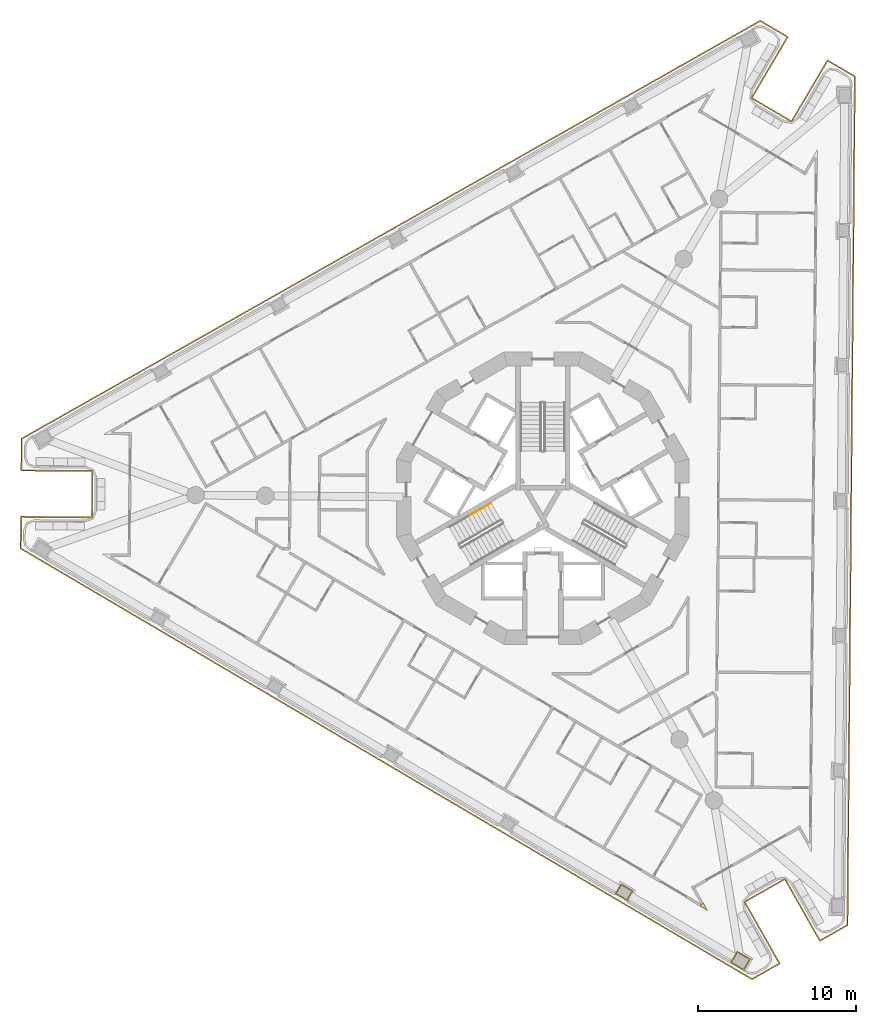
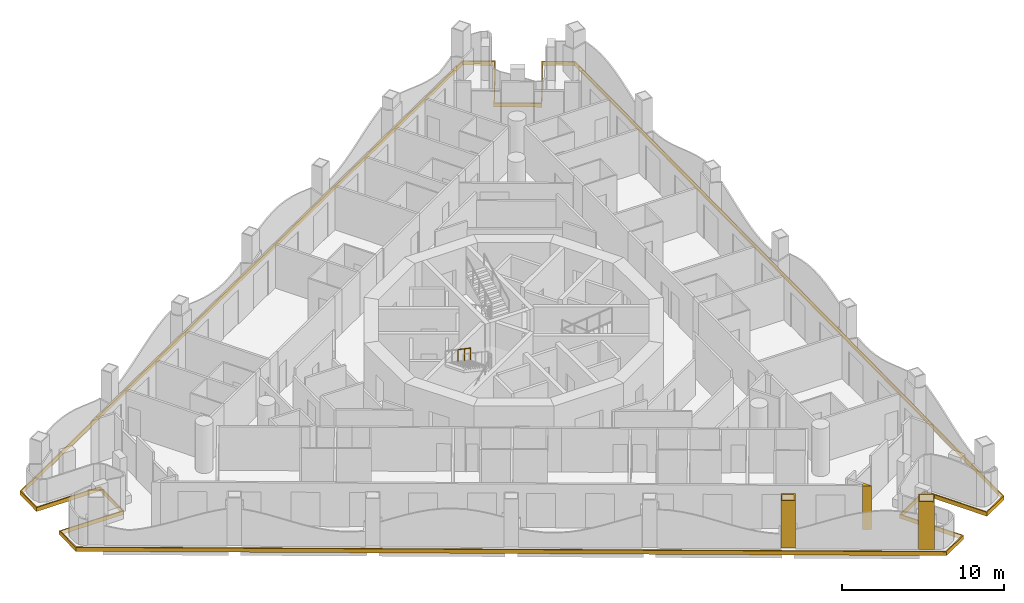
# One storey, part 13 of 17: 4 coverings, 1 railing.
"""IFC4 building model written with IfcOpenShell, lengths in metres."""

import ifcopenshell
import ifcopenshell.guid

model = None  # the IFC model being written
_history = None  # IfcOwnerHistory: only IFC2X3 demands one
_inside = {}  # id of a spatial element -> (the spatial element, [elements in it])
_under = {}  # id of a project, library or spatial element -> (it, [spatial elements below it])
_declared = {}  # id of a project -> (the project, [libraries it declares])
_typed = {}  # id of a type object -> (the type object, [elements of that type])
_made_of = {}  # id of a material, layer set ... -> (it, [elements and type objects made of it])


def new_model(schema):
    """Start an empty IFC model of exactly this schema.

    Asked for "IFC4X3", IfcOpenShell would pick the latest addendum, in which some entities
    have other attributes; the version numbers below select the first issue.
    IFC2X3 requires an IfcOwnerHistory on every rooted entity: one is made here for all.
    """
    global model, _history
    if schema == "IFC4X3":
        model = ifcopenshell.file(schema_version=(4, 3, 0, 0))
    else:
        model = ifcopenshell.file(schema=schema)
    _inside.clear()
    _under.clear()
    _declared.clear()
    _typed.clear()
    _made_of.clear()
    _history = None
    if model.schema == "IFC2X3":
        org = make("IfcOrganization", Name="unknown")
        user = make(
            "IfcPersonAndOrganization",
            ThePerson=make("IfcPerson", FamilyName="unknown"),
            TheOrganization=org,
        )
        app = make(
            "IfcApplication",
            ApplicationDeveloper=org,
            Version="unknown",
            ApplicationFullName="unknown",
            ApplicationIdentifier="unknown",
        )
        _history = make(
            "IfcOwnerHistory",
            OwningUser=user,
            OwningApplication=app,
            ChangeAction="ADDED",
            CreationDate=0,
        )
    return model


def make(cls, **values):
    """One entity of the class cls with the attributes given. An attribute that is None is left unset."""
    return model.create_entity(
        cls, **{name: value for name, value in values.items() if value is not None}
    )


def rooted(cls, **values):
    """An entity with a GlobalId (a new one), such as an element, a storey or a relation."""
    return make(cls, GlobalId=ifcopenshell.guid.new(), OwnerHistory=_history, **values)


def si_unit(unit_type, name, prefix=None):
    """IfcSIUnit, for example si_unit("LENGTHUNIT", "METRE", prefix="MILLI")."""
    return make("IfcSIUnit", UnitType=unit_type, Prefix=prefix, Name=name)


def assignment(units):
    """IfcUnitAssignment: the units of a project."""
    return None if units is None else make("IfcUnitAssignment", Units=units)


def point(xyz):
    """IfcCartesianPoint."""
    return None if xyz is None else make("IfcCartesianPoint", Coordinates=xyz)


def direction(xyz):
    """IfcDirection."""
    return None if xyz is None else make("IfcDirection", DirectionRatios=xyz)


def frame(location, z_axis=None, x_axis=None):
    """IfcAxis2Placement3D, a coordinate frame: its origin and axes. An axis left out is left unset."""
    return make(
        "IfcAxis2Placement3D",
        Location=point(location),
        Axis=direction(z_axis),
        RefDirection=direction(x_axis),
    )


def frame_2d(location, x_axis=None):
    """IfcAxis2Placement2D, a coordinate frame in the plane: its origin and x axis."""
    return make(
        "IfcAxis2Placement2D", Location=point(location), RefDirection=direction(x_axis)
    )


def origin():
    """The frame at (0, 0, 0) with its axes left unset."""
    return frame((0.0, 0.0, 0.0))


def origin_2d():
    """The frame at (0, 0) in the plane with its x axis left unset."""
    return frame_2d((0.0, 0.0))


def place(relative_to, where):
    """IfcLocalPlacement: puts the frame where relative to a parent placement (None: the world)."""
    return make(
        "IfcLocalPlacement", PlacementRelTo=relative_to, RelativePlacement=where
    )


def context(
    kind, dimensions, precision=None, world=None, true_north=None, identifier=None
):
    """IfcGeometricRepresentationContext, for example the 3D "Model" context."""
    return make(
        "IfcGeometricRepresentationContext",
        ContextIdentifier=identifier,
        ContextType=kind,
        CoordinateSpaceDimension=dimensions,
        Precision=precision,
        WorldCoordinateSystem=world,
        TrueNorth=true_north,
    )


def subcontext(parent, identifier, kind, view, scale=None):
    """IfcGeometricRepresentationSubContext, for example "Body" below "Model"."""
    return make(
        "IfcGeometricRepresentationSubContext",
        ContextIdentifier=identifier,
        ContextType=kind,
        ParentContext=parent,
        TargetScale=scale,
        TargetView=view,
    )


def project(units=None, contexts=None):
    """IfcProject with its units and contexts."""
    return rooted(
        "IfcProject",
        Name="project",
        RepresentationContexts=contexts,
        UnitsInContext=assignment(units),
    )


def spatial(cls, under=None, at=None, **own):
    """A site, building, storey or space (cls), placed at a placement, below another one or the project."""
    s = rooted(cls, ObjectPlacement=at, **own)
    if under is not None:
        _under.setdefault(under.id(), (under, []))[1].append(s)
    return s


def polyline(points):
    """IfcPolyline through the points."""
    return make("IfcPolyline", Points=[point(p) for p in points])


def profile(cls, at=None, kind="AREA", **sizes):
    """A parametric profile (cls). Its sizes go by their IFC names, for example OverallWidth=200.0."""
    return make(cls, ProfileType=kind, Position=at, **sizes)


def circle(**sizes):
    """IfcCircleProfileDef."""
    return profile("IfcCircleProfileDef", **sizes)


def outline(outer, holes=None, kind="AREA"):
    """IfcArbitraryClosedProfileDef: a profile drawn as a closed curve; with holes, ...WithVoids."""
    if holes is None:
        return make("IfcArbitraryClosedProfileDef", ProfileType=kind, OuterCurve=outer)
    return make(
        "IfcArbitraryProfileDefWithVoids",
        ProfileType=kind,
        OuterCurve=outer,
        InnerCurves=holes,
    )


def extrude(swept, where, along, depth):
    """IfcExtrudedAreaSolid: the profile swept, set in the frame where, extruded along a direction by depth."""
    return make(
        "IfcExtrudedAreaSolid",
        SweptArea=swept,
        Position=where,
        ExtrudedDirection=direction(along),
        Depth=depth,
    )


def shape(context_of_items, identifier, shape_type, items):
    """IfcShapeRepresentation: the items that make up one representation, for example the "Body"."""
    return make(
        "IfcShapeRepresentation",
        ContextOfItems=context_of_items,
        RepresentationIdentifier=identifier,
        RepresentationType=shape_type,
        Items=items,
    )


def material(Name=None, Category=None):
    """IfcMaterial."""
    return make("IfcMaterial", Name=Name, Category=Category)


def layer(
    of_material, thickness, ventilated=None, Name=None, Category=None, Priority=None
):
    """IfcMaterialLayer: one layer of a wall or slab, of a material (None: an air gap)."""
    return make(
        "IfcMaterialLayer",
        Material=of_material,
        LayerThickness=thickness,
        IsVentilated=ventilated,
        Name=Name,
        Category=Category,
        Priority=Priority,
    )


def layer_set(layers, Name=None):
    """IfcMaterialLayerSet."""
    return make("IfcMaterialLayerSet", MaterialLayers=layers, LayerSetName=Name)


def made_of(thing, what):
    """Note that an element or type object is made of a material, layer set ...; save() writes the relation."""
    if what is not None:
        _made_of.setdefault(what.id(), (what, []))[1].append(thing)
    return thing


def type_object(cls, material=None, **own):
    """A type object (cls), such as IfcWallType, which elements share."""
    return made_of(rooted(cls, **own), material)


def element(
    cls,
    number,
    at=None,
    inside=None,
    cuts=None,
    type_object=None,
    material=None,
    context=None,
    identifier="Body",
    shape_type=None,
    held_by="IfcProductDefinitionShape",
    body=None,
    shapes=None,
    **own,
):
    """One element of the class cls, such as IfcWall. Its Tag is "e" and its number.

    at: its placement. inside: the storey or other place that contains it. cuts: it is an
    opening in that element (IfcRelVoidsElement). A single representation is given by context,
    identifier, shape_type and body (its items); several are given by shapes. held_by: the class
    of the entity that holds the representations. save() writes the other relations.
    """
    e = rooted(cls, Tag="e%d" % number, ObjectPlacement=at, **own)
    if body is not None:
        shapes = [shape(context, identifier, shape_type, body)]
    if shapes is not None:
        e.Representation = make(held_by, Representations=shapes)
    if inside is not None:
        _inside.setdefault(inside.id(), (inside, []))[1].append(e)
    if cuts is not None:
        rooted(
            "IfcRelVoidsElement", RelatingBuildingElement=cuts, RelatedOpeningElement=e
        )
    if type_object is not None:
        _typed.setdefault(type_object.id(), (type_object, []))[1].append(e)
    return made_of(e, material)


def aggregate(whole, parts):
    """IfcRelAggregates: a whole, such as a stair, and the parts it consists of."""
    return rooted("IfcRelAggregates", RelatingObject=whole, RelatedObjects=parts)


def save(model, path):
    """Write the relations noted so far, then the file.

    IfcRelAggregates (storeys below a building ...), IfcRelContainedInSpatialStructure (elements
    in a storey), IfcRelDefinesByType, IfcRelAssociatesMaterial and IfcRelDeclares: one each for
    every whole, place, type object, material and project.
    """
    for whole, parts in _under.values():
        aggregate(whole, parts)
    for where, things in _inside.values():
        rooted(
            "IfcRelContainedInSpatialStructure",
            RelatedElements=things,
            RelatingStructure=where,
        )
    for kind, things in _typed.values():
        rooted("IfcRelDefinesByType", RelatedObjects=things, RelatingType=kind)
    for what, things in _made_of.values():
        rooted("IfcRelAssociatesMaterial", RelatedObjects=things, RelatingMaterial=what)
    for by, libraries in _declared.values():
        rooted("IfcRelDeclares", RelatingContext=by, RelatedDefinitions=libraries)
    model.write(path)


model = new_model("IFC4")

# Units and contexts
model_context = context("Model", 3, precision=1e-05, world=origin(), true_north=direction((0.0, 1.0)))
body_context = subcontext(model_context, "Body", "Model", "MODEL_VIEW")
ifc_project = project(units=[si_unit("LENGTHUNIT", "METRE"), si_unit("AREAUNIT", "SQUARE_METRE"), si_unit("VOLUMEUNIT", "CUBIC_METRE"), si_unit("PLANEANGLEUNIT", "RADIAN"), si_unit("MASSUNIT", "GRAM", prefix="KILO")], contexts=[model_context])

# Site, building, storey
site_placement = place(None, origin())
site = spatial("IfcSite", under=ifc_project, at=site_placement, CompositionType="ELEMENT")
building_placement = place(site_placement, origin())
building = spatial("IfcBuilding", under=site, at=building_placement, Name="Trine Commons Tower", CompositionType="ELEMENT")
storey_placement = place(building_placement, frame((0.0, 0.0, 164.699951171875)))
storey = spatial("IfcBuildingStorey", under=building, at=storey_placement, Name="L42", CompositionType="ELEMENT", Elevation=164.699951171875)

# Coverings
ifc_material_1 = material(Name="Aluminium-framed insulated wall panel", Category="aluminium")
ifc_layer_1 = layer(ifc_material_1, 0.14990234375)
ifc_layer_set_1 = layer_set([ifc_layer_1], Name="Aluminium-framed insulated wall panel")
covering_type_1 = type_object("IfcCoveringType", Name="Glazing corner post, aluminium", PredefinedType="CLADDING", material=ifc_layer_set_1)
covering_1_placement = place(storey_placement, origin())
element("IfcCovering", 1, at=covering_1_placement, inside=storey, type_object=covering_type_1, Name="Glazing corner post 5-12", PredefinedType="CLADDING", context=body_context, shape_type="SweptSolid", body=[
    extrude(outline(polyline([(89.97265625, 36.6083984375), (90.455078125, 36.32421875), (90.179443359375, 36.811279296875), (90.048828125, 36.737548828125), (89.97265625, 36.6083984375)])), origin(), (0.0, 0.0, 1.0), 3.300048828125),
])
ifc_material_2 = material(Name="Limestone, honed", Category="masonry")
ifc_layer_2 = layer(ifc_material_2, 0.074951171875)
ifc_layer_set_2 = layer_set([ifc_layer_2], Name="Limestone, honed")
covering_type_2 = type_object("IfcCoveringType", Name="Limestone column cladding 75", PredefinedType="CLADDING", material=ifc_layer_set_2)
covering_2_placement = place(storey_placement, origin())
element("IfcCovering", 2, at=covering_2_placement, inside=storey, type_object=covering_type_2, Name="Limestone pier cladding 5-01", PredefinedType="CLADDING", context=body_context, shape_type="SweptSolid", body=[
    extrude(outline(polyline([(92.327392578125, 33.753173828125), (91.89599609375, 33.020751953125), (92.757568359375, 32.51318359375), (93.18896484375, 33.24560546875), (92.327392578125, 33.753173828125)]), holes=[polyline([(92.35400390625, 33.650390625), (91.998779296875, 33.047119140625), (92.731201171875, 32.61572265625), (93.086181640625, 33.218994140625), (92.35400390625, 33.650390625)])]), origin(), (0.0, 0.0, 1.0), 3.60009765625),
])
covering_3_placement = place(storey_placement, origin())
element("IfcCovering", 3, at=covering_3_placement, inside=storey, type_object=covering_type_2, Name="Limestone pier cladding 5-02", PredefinedType="CLADDING", context=body_context, shape_type="SweptSolid", body=[
    extrude(outline(polyline([(84.96044921875, 38.03466796875), (84.57958984375, 37.388427734375), (85.355224609375, 36.931640625), (85.73583984375, 37.577880859375), (84.96044921875, 38.03466796875)]), holes=[polyline([(84.987060546875, 37.931884765625), (84.682373046875, 37.414794921875), (85.32861328125, 37.0341796875), (85.63330078125, 37.55126953125), (84.987060546875, 37.931884765625)])]), origin(), (0.0, 0.0, 1.0), 3.60009765625),
])
ifc_layer_3 = layer(ifc_material_2, 0.074951171875)
ifc_layer_set_3 = layer_set([ifc_layer_3], Name="Limestone, honed")
covering_type_3 = type_object("IfcCoveringType", Name="Limestone spandrel panel 75", PredefinedType="CLADDING", material=ifc_layer_set_3)
covering_4_placement = place(storey_placement, frame((0.0, 0.0, -0.300048828125)))
element("IfcCovering", 4, at=covering_4_placement, inside=storey, type_object=covering_type_3, Name="Limestone spandrel panel 5-01", PredefinedType="CLADDING", context=body_context, shape_type="SweptSolid", body=[
    extrude(outline(polyline([(95.34814453125, 38.26611328125), (97.564208984375, 34.349365234375), (99.376708984375, 35.374755859375), (99.846923828125, 89.282958984375), (98.052734375, 90.33984375), (95.768798828125, 86.46240234375), (93.313232421875, 87.908935546875), (95.59716796875, 91.786376953125), (93.802734375, 92.84326171875), (46.8818359375, 66.296630859375), (46.863525390625, 64.214111328125), (51.363525390625, 64.175048828125), (51.338623046875, 61.3251953125), (46.8388671875, 61.3642578125), (46.820556640625, 59.281982421875), (93.271240234375, 31.92041015625), (95.08349609375, 32.94580078125), (92.86767578125, 36.862548828125), (95.34814453125, 38.26611328125)]), holes=[polyline([(98.079345703125, 90.237060546875), (99.771484375, 89.240234375), (99.302001953125, 35.418701171875), (97.592529296875, 34.45166015625), (95.376708984375, 38.3681640625), (92.765380859375, 36.890869140625), (94.9814453125, 32.974365234375), (93.27197265625, 32.007080078125), (46.89599609375, 59.32470703125), (46.9130859375, 61.288818359375), (51.412841796875, 61.24951171875), (51.439208984375, 64.249267578125), (46.939208984375, 64.28857421875), (46.956298828125, 66.252685546875), (93.802001953125, 92.756591796875), (95.494384765625, 91.759765625), (93.21044921875, 87.88232421875), (95.79541015625, 86.35986328125), (98.079345703125, 90.237060546875)])]), origin(), (0.0, 0.0, 1.0), 0.300048828125),
])

# Railing
ifc_material_3 = material(Name="Stainless steel handrail", Category="steel")
railing_type = type_object("IfcRailingType", Name="Stair handrail, steel 900", PredefinedType="HANDRAIL", material=ifc_material_3)
railing_placement = place(storey_placement, frame((76.72265625, 62.195556640625, 1.949951171875)))
element("IfcRailing", 5, at=railing_placement, inside=storey, type_object=railing_type, Name="L42 ST2B stair handrail 3", PredefinedType="HANDRAIL", context=body_context, shape_type="SweptSolid", body=[
    extrude(circle(Radius=0.02099609375, at=origin_2d()), frame((0.0, 0.0, 0.87890625), z_axis=(-0.763354580307, -0.440713956853, 0.472293333596), x_axis=(0.499992328818, -0.866029832698, 0.0)), (0.0, 0.0, 1.0), 1.747314453125),
    extrude(circle(Radius=0.01513671875, at=origin_2d()), origin(), (0.0, 0.0, 1.0), 0.85791015625),
    extrude(circle(Radius=0.01513671875, at=origin_2d()), frame((-0.6669921875, -0.385009765625, 0.41259765625)), (0.0, 0.0, 1.0), 0.85791015625),
    extrude(circle(Radius=0.01513671875, at=origin_2d()), frame((-1.333740234375, -0.77001953125, 0.8251953125)), (0.0, 0.0, 1.0), 0.85791015625),
])

save(model, "model.ifc")
